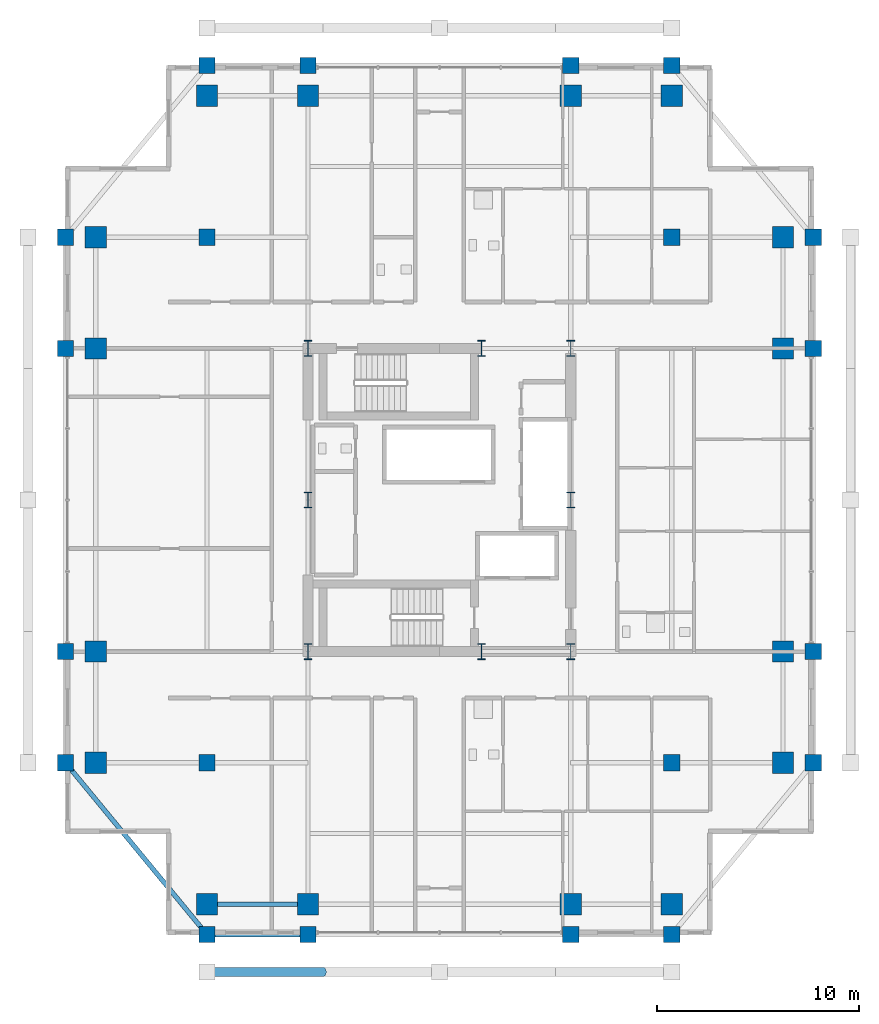
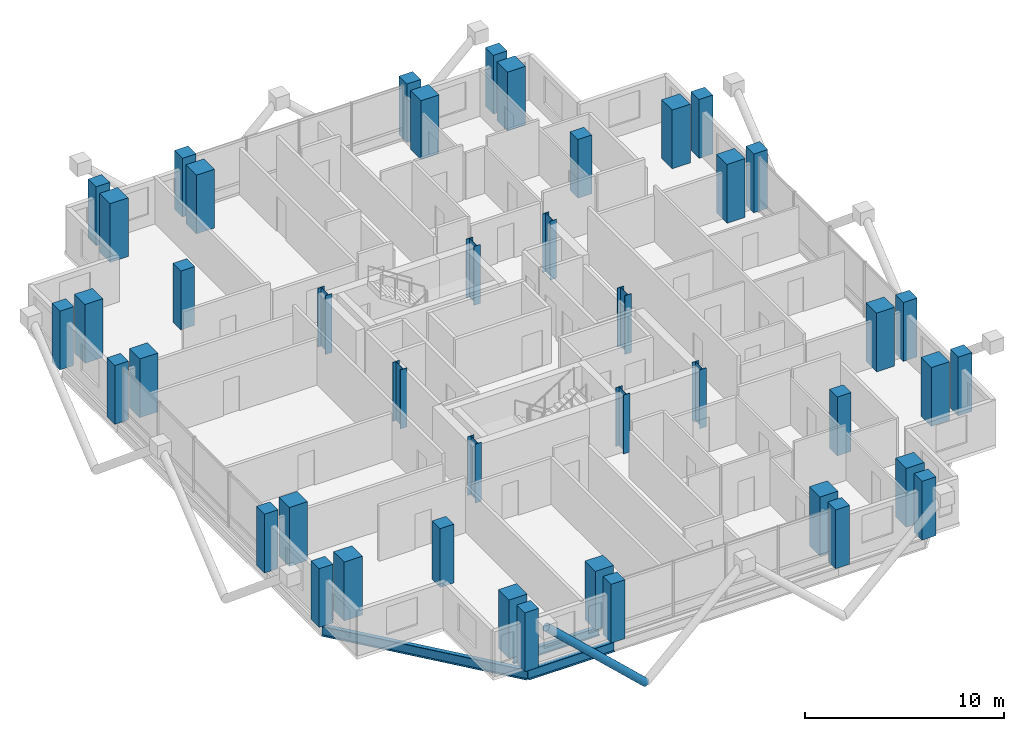
# One storey, part 1 of 24: 44 columns, 3 beams, 1 member.
"""IFC4 building model written with IfcOpenShell, lengths in metres."""

import ifcopenshell
import ifcopenshell.guid

model = None  # the IFC model being written
_history = None  # IfcOwnerHistory: only IFC2X3 demands one
_inside = {}  # id of a spatial element -> (the spatial element, [elements in it])
_under = {}  # id of a project, library or spatial element -> (it, [spatial elements below it])
_declared = {}  # id of a project -> (the project, [libraries it declares])
_typed = {}  # id of a type object -> (the type object, [elements of that type])
_made_of = {}  # id of a material, layer set ... -> (it, [elements and type objects made of it])


def new_model(schema):
    """Start an empty IFC model of exactly this schema.

    Asked for "IFC4X3", IfcOpenShell would pick the latest addendum, in which some entities
    have other attributes; the version numbers below select the first issue.
    IFC2X3 requires an IfcOwnerHistory on every rooted entity: one is made here for all.
    """
    global model, _history
    if schema == "IFC4X3":
        model = ifcopenshell.file(schema_version=(4, 3, 0, 0))
    else:
        model = ifcopenshell.file(schema=schema)
    _inside.clear()
    _under.clear()
    _declared.clear()
    _typed.clear()
    _made_of.clear()
    _history = None
    if model.schema == "IFC2X3":
        org = make("IfcOrganization", Name="unknown")
        user = make(
            "IfcPersonAndOrganization",
            ThePerson=make("IfcPerson", FamilyName="unknown"),
            TheOrganization=org,
        )
        app = make(
            "IfcApplication",
            ApplicationDeveloper=org,
            Version="unknown",
            ApplicationFullName="unknown",
            ApplicationIdentifier="unknown",
        )
        _history = make(
            "IfcOwnerHistory",
            OwningUser=user,
            OwningApplication=app,
            ChangeAction="ADDED",
            CreationDate=0,
        )
    return model


def make(cls, **values):
    """One entity of the class cls with the attributes given. An attribute that is None is left unset."""
    return model.create_entity(
        cls, **{name: value for name, value in values.items() if value is not None}
    )


def rooted(cls, **values):
    """An entity with a GlobalId (a new one), such as an element, a storey or a relation."""
    return make(cls, GlobalId=ifcopenshell.guid.new(), OwnerHistory=_history, **values)


def si_unit(unit_type, name, prefix=None):
    """IfcSIUnit, for example si_unit("LENGTHUNIT", "METRE", prefix="MILLI")."""
    return make("IfcSIUnit", UnitType=unit_type, Prefix=prefix, Name=name)


def assignment(units):
    """IfcUnitAssignment: the units of a project."""
    return None if units is None else make("IfcUnitAssignment", Units=units)


def point(xyz):
    """IfcCartesianPoint."""
    return None if xyz is None else make("IfcCartesianPoint", Coordinates=xyz)


def direction(xyz):
    """IfcDirection."""
    return None if xyz is None else make("IfcDirection", DirectionRatios=xyz)


def frame(location, z_axis=None, x_axis=None):
    """IfcAxis2Placement3D, a coordinate frame: its origin and axes. An axis left out is left unset."""
    return make(
        "IfcAxis2Placement3D",
        Location=point(location),
        Axis=direction(z_axis),
        RefDirection=direction(x_axis),
    )


def frame_2d(location, x_axis=None):
    """IfcAxis2Placement2D, a coordinate frame in the plane: its origin and x axis."""
    return make(
        "IfcAxis2Placement2D", Location=point(location), RefDirection=direction(x_axis)
    )


def origin():
    """The frame at (0, 0, 0) with its axes left unset."""
    return frame((0.0, 0.0, 0.0))


def origin_2d():
    """The frame at (0, 0) in the plane with its x axis left unset."""
    return frame_2d((0.0, 0.0))


def place(relative_to, where):
    """IfcLocalPlacement: puts the frame where relative to a parent placement (None: the world)."""
    return make(
        "IfcLocalPlacement", PlacementRelTo=relative_to, RelativePlacement=where
    )


def context(
    kind, dimensions, precision=None, world=None, true_north=None, identifier=None
):
    """IfcGeometricRepresentationContext, for example the 3D "Model" context."""
    return make(
        "IfcGeometricRepresentationContext",
        ContextIdentifier=identifier,
        ContextType=kind,
        CoordinateSpaceDimension=dimensions,
        Precision=precision,
        WorldCoordinateSystem=world,
        TrueNorth=true_north,
    )


def subcontext(parent, identifier, kind, view, scale=None):
    """IfcGeometricRepresentationSubContext, for example "Body" below "Model"."""
    return make(
        "IfcGeometricRepresentationSubContext",
        ContextIdentifier=identifier,
        ContextType=kind,
        ParentContext=parent,
        TargetScale=scale,
        TargetView=view,
    )


def project(units=None, contexts=None):
    """IfcProject with its units and contexts."""
    return rooted(
        "IfcProject",
        Name="project",
        RepresentationContexts=contexts,
        UnitsInContext=assignment(units),
    )


def spatial(cls, under=None, at=None, **own):
    """A site, building, storey or space (cls), placed at a placement, below another one or the project."""
    s = rooted(cls, ObjectPlacement=at, **own)
    if under is not None:
        _under.setdefault(under.id(), (under, []))[1].append(s)
    return s


def profile(cls, at=None, kind="AREA", **sizes):
    """A parametric profile (cls). Its sizes go by their IFC names, for example OverallWidth=200.0."""
    return make(cls, ProfileType=kind, Position=at, **sizes)


def rectangle(**sizes):
    """IfcRectangleProfileDef."""
    return profile("IfcRectangleProfileDef", **sizes)


def hollow_circle(**sizes):
    """IfcCircleHollowProfileDef."""
    return profile("IfcCircleHollowProfileDef", **sizes)


def i_section(**sizes):
    """IfcIShapeProfileDef."""
    return profile("IfcIShapeProfileDef", **sizes)


def extrude(swept, where, along, depth):
    """IfcExtrudedAreaSolid: the profile swept, set in the frame where, extruded along a direction by depth."""
    return make(
        "IfcExtrudedAreaSolid",
        SweptArea=swept,
        Position=where,
        ExtrudedDirection=direction(along),
        Depth=depth,
    )


def shape(context_of_items, identifier, shape_type, items):
    """IfcShapeRepresentation: the items that make up one representation, for example the "Body"."""
    return make(
        "IfcShapeRepresentation",
        ContextOfItems=context_of_items,
        RepresentationIdentifier=identifier,
        RepresentationType=shape_type,
        Items=items,
    )


def material(Name=None, Category=None):
    """IfcMaterial."""
    return make("IfcMaterial", Name=Name, Category=Category)


def material_profile(
    of_material, cross_section, Name=None, Category=None, Priority=None
):
    """IfcMaterialProfile: a cross section and its material."""
    return make(
        "IfcMaterialProfile",
        Name=Name,
        Material=of_material,
        Profile=cross_section,
        Priority=Priority,
        Category=Category,
    )


def profile_set(profiles, Name=None, composite=None):
    """IfcMaterialProfileSet."""
    return make(
        "IfcMaterialProfileSet",
        Name=Name,
        MaterialProfiles=profiles,
        CompositeProfile=composite,
    )


def made_of(thing, what):
    """Note that an element or type object is made of a material, layer set ...; save() writes the relation."""
    if what is not None:
        _made_of.setdefault(what.id(), (what, []))[1].append(thing)
    return thing


def type_object(cls, material=None, **own):
    """A type object (cls), such as IfcWallType, which elements share."""
    return made_of(rooted(cls, **own), material)


def element(
    cls,
    number,
    at=None,
    inside=None,
    cuts=None,
    type_object=None,
    material=None,
    context=None,
    identifier="Body",
    shape_type=None,
    held_by="IfcProductDefinitionShape",
    body=None,
    shapes=None,
    **own,
):
    """One element of the class cls, such as IfcWall. Its Tag is "e" and its number.

    at: its placement. inside: the storey or other place that contains it. cuts: it is an
    opening in that element (IfcRelVoidsElement). A single representation is given by context,
    identifier, shape_type and body (its items); several are given by shapes. held_by: the class
    of the entity that holds the representations. save() writes the other relations.
    """
    e = rooted(cls, Tag="e%d" % number, ObjectPlacement=at, **own)
    if body is not None:
        shapes = [shape(context, identifier, shape_type, body)]
    if shapes is not None:
        e.Representation = make(held_by, Representations=shapes)
    if inside is not None:
        _inside.setdefault(inside.id(), (inside, []))[1].append(e)
    if cuts is not None:
        rooted(
            "IfcRelVoidsElement", RelatingBuildingElement=cuts, RelatedOpeningElement=e
        )
    if type_object is not None:
        _typed.setdefault(type_object.id(), (type_object, []))[1].append(e)
    return made_of(e, material)


def aggregate(whole, parts):
    """IfcRelAggregates: a whole, such as a stair, and the parts it consists of."""
    return rooted("IfcRelAggregates", RelatingObject=whole, RelatedObjects=parts)


def save(model, path):
    """Write the relations noted so far, then the file.

    IfcRelAggregates (storeys below a building ...), IfcRelContainedInSpatialStructure (elements
    in a storey), IfcRelDefinesByType, IfcRelAssociatesMaterial and IfcRelDeclares: one each for
    every whole, place, type object, material and project.
    """
    for whole, parts in _under.values():
        aggregate(whole, parts)
    for where, things in _inside.values():
        rooted(
            "IfcRelContainedInSpatialStructure",
            RelatedElements=things,
            RelatingStructure=where,
        )
    for kind, things in _typed.values():
        rooted("IfcRelDefinesByType", RelatedObjects=things, RelatingType=kind)
    for what, things in _made_of.values():
        rooted("IfcRelAssociatesMaterial", RelatedObjects=things, RelatingMaterial=what)
    for by, libraries in _declared.values():
        rooted("IfcRelDeclares", RelatingContext=by, RelatedDefinitions=libraries)
    model.write(path)


model = new_model("IFC4")

# Units and contexts
model_context = context("Model", 3, precision=1e-05, world=origin(), true_north=direction((0.0, 1.0)))
body_context = subcontext(model_context, "Body", "Model", "MODEL_VIEW")
ifc_project = project(units=[si_unit("LENGTHUNIT", "METRE"), si_unit("AREAUNIT", "SQUARE_METRE"), si_unit("VOLUMEUNIT", "CUBIC_METRE"), si_unit("PLANEANGLEUNIT", "RADIAN"), si_unit("MASSUNIT", "GRAM", prefix="KILO")], contexts=[model_context])

# Site, building, storey
site_placement = place(None, origin())
site = spatial("IfcSite", under=ifc_project, at=site_placement, CompositionType="ELEMENT")
building_placement = place(site_placement, origin())
building = spatial("IfcBuilding", under=site, at=building_placement, Name="Barlavira Tower and Art Museum", CompositionType="ELEMENT")
storey_placement = place(building_placement, frame((0.0, 0.0, 172.800048828125)))
storey = spatial("IfcBuildingStorey", under=building, at=storey_placement, Name="L44", CompositionType="ELEMENT", Elevation=172.800048828125)

# Columns
ifc_material_1 = material(Name="Steel S355", Category="steel")
ifc_material_profile_1 = material_profile(ifc_material_1, i_section(OverallWidth=0.382080078125, OverallDepth=0.785888671875, WebThickness=0.02001953125, FlangeThickness=0.032958984375, at=origin_2d()), Name="W760x314.0")
ifc_profile_set_1 = profile_set([ifc_material_profile_1], Name="Steel S355")
column_type_1 = type_object("IfcColumnType", Name="Core Composite Column W760x314 Steel S355", PredefinedType="COLUMN", material=ifc_profile_set_1)
for number, where, z_axis, x_axis, name in (
    (1, (-6.5, -7.5, 0.0), (0.0, 0.0, 1.0), (1.0, 0.0, 0.0), "L44 Column CC-L44-C1"),
    (2, (2.080078125, -7.5, 0.0), (0.0, 0.0, 1.0), (1.0, 0.0, 0.0), "L44 Column CC-L44-C2"),
    (3, (6.5, -7.5, 0.0), (0.0, 0.0, 1.0), (1.0, 0.0, 0.0), "L44 Column CC-L44-C3"),
    (4, (-6.5, 0.0, 0.0), (0.0, 0.0, 1.0), (1.0, 0.0, 0.0), "L44 Column CC-L44-C4"),
    (5, (6.5, 0.0, 0.0), (0.0, 0.0, 1.0), (1.0, 0.0, 0.0), "L44 Column CC-L44-C5"),
    (6, (-6.5, 7.5, 0.0), (0.0, 0.0, 1.0), (1.0, 0.0, 0.0), "L44 Column CC-L44-C6"),
    (7, (2.080078125, 7.5, 0.0), (0.0, 0.0, 1.0), (1.0, 0.0, 0.0), "L44 Column CC-L44-C7"),
    (8, (6.5, 7.5, 0.0), (0.0, 0.0, 1.0), (1.0, 0.0, 0.0), "L44 Column CC-L44-C8"),
):
    element("IfcColumn", number, at=place(storey_placement, frame(where, z_axis=z_axis, x_axis=x_axis)), inside=storey, type_object=column_type_1, Name=name, PredefinedType="COLUMN", context=body_context, shape_type="SweptSolid", body=[
        extrude(i_section(OverallWidth=0.382080078125, OverallDepth=0.785888671875, WebThickness=0.02001953125, FlangeThickness=0.032958984375, at=origin_2d()), origin(), (0.0, 0.0, 1.0), 3.599853515625),
    ])
ifc_material_2 = material(Name="Concrete C55", Category="concrete")
ifc_material_profile_2 = material_profile(ifc_material_2, rectangle(XDim=1.050048828125, YDim=1.050048828125, at=origin_2d()), Name="RC-COL 1050x1050")
ifc_profile_set_2 = profile_set([ifc_material_profile_2], Name="Concrete C55")
column_type_2 = type_object("IfcColumnType", Name="Perimeter Mega Column 1050x1050 Concrete C55", PredefinedType="USERDEFINED", material=ifc_profile_set_2)
for number, where, z_axis, x_axis, name in (
    (9, (-11.5, -20.0, 0.0), (0.0, 0.0, 1.0), (1.0, 0.0, 0.0), "L44 Column MC-L44-M01"),
    (10, (-6.5, -20.0, 0.0), (0.0, 0.0, 1.0), (1.0, 0.0, 0.0), "L44 Column MC-L44-M02"),
    (11, (6.5, -20.0, 0.0), (0.0, 0.0, 1.0), (1.0, 0.0, 0.0), "L44 Column MC-L44-M03"),
    (12, (11.5, -20.0, 0.0), (0.0, 0.0, 1.0), (1.0, 0.0, 0.0), "L44 Column MC-L44-M04"),
    (13, (17.0, -13.0, 0.0), (0.0, 0.0, 1.0), (1.0, 0.0, 0.0), "L44 Column MC-L44-M05"),
    (14, (17.0, -7.5, 0.0), (0.0, 0.0, 1.0), (1.0, 0.0, 0.0), "L44 Column MC-L44-M06"),
    (15, (17.0, 7.5, 0.0), (0.0, 0.0, 1.0), (1.0, 0.0, 0.0), "L44 Column MC-L44-M07"),
    (16, (17.0, 13.0, 0.0), (0.0, 0.0, 1.0), (1.0, 0.0, 0.0), "L44 Column MC-L44-M08"),
    (17, (11.5, 20.0, 0.0), (0.0, 0.0, 1.0), (1.0, 0.0, 0.0), "L44 Column MC-L44-M09"),
    (18, (6.5, 20.0, 0.0), (0.0, 0.0, 1.0), (1.0, 0.0, 0.0), "L44 Column MC-L44-M10"),
    (19, (-6.5, 20.0, 0.0), (0.0, 0.0, 1.0), (1.0, 0.0, 0.0), "L44 Column MC-L44-M11"),
    (20, (-11.5, 20.0, 0.0), (0.0, 0.0, 1.0), (1.0, 0.0, 0.0), "L44 Column MC-L44-M12"),
    (21, (-17.0, 13.0, 0.0), (0.0, 0.0, 1.0), (1.0, 0.0, 0.0), "L44 Column MC-L44-M13"),
    (22, (-17.0, 7.5, 0.0), (0.0, 0.0, 1.0), (1.0, 0.0, 0.0), "L44 Column MC-L44-M14"),
    (23, (-17.0, -7.5, 0.0), (0.0, 0.0, 1.0), (1.0, 0.0, 0.0), "L44 Column MC-L44-M15"),
    (24, (-17.0, -13.0, 0.0), (0.0, 0.0, 1.0), (1.0, 0.0, 0.0), "L44 Column MC-L44-M16"),
):
    element("IfcColumn", number, at=place(storey_placement, frame(where, z_axis=z_axis, x_axis=x_axis)), inside=storey, type_object=column_type_2, Name=name, ObjectType="MEGA COLUMN", PredefinedType="USERDEFINED", context=body_context, shape_type="SweptSolid", body=[
        extrude(rectangle(XDim=1.050048828125, YDim=1.050048828125, at=origin_2d()), origin(), (0.0, 0.0, 1.0), 3.599853515625),
    ])
ifc_material_3 = material(Name="Concrete C50", Category="concrete")
ifc_material_profile_3 = material_profile(ifc_material_3, rectangle(XDim=0.800048828125, YDim=0.800048828125, at=origin_2d()), Name="RC-COL 800x800")
ifc_profile_set_3 = profile_set([ifc_material_profile_3], Name="Concrete C50")
column_type_3 = type_object("IfcColumnType", Name="Podium Frame Column 800x800 Concrete C50", PredefinedType="COLUMN", material=ifc_profile_set_3)
for number, where, z_axis, x_axis, name in (
    (25, (-11.5, -13.0, 0.0), (0.0, 0.0, 1.0), (1.0, 0.0, 0.0), "L44 Column CI-L44-I1"),
    (26, (11.5, -13.0, 0.0), (0.0, 0.0, 1.0), (1.0, 0.0, 0.0), "L44 Column CI-L44-I2"),
    (27, (-11.5, 13.0, 0.0), (0.0, 0.0, 1.0), (1.0, 0.0, 0.0), "L44 Column CI-L44-I3"),
    (28, (11.5, 13.0, 0.0), (0.0, 0.0, 1.0), (1.0, 0.0, 0.0), "L44 Column CI-L44-I4"),
    (29, (-11.5, -21.5, 0.0), (0.0, 0.0, 1.0), (1.0, 0.0, 0.0), "L44 Column CZ3-L44-N01"),
    (30, (-6.5, -21.5, 0.0), (0.0, 0.0, 1.0), (1.0, 0.0, 0.0), "L44 Column CZ3-L44-N02"),
    (31, (6.5, -21.5, 0.0), (0.0, 0.0, 1.0), (1.0, 0.0, 0.0), "L44 Column CZ3-L44-N02B"),
    (32, (11.5, -21.5, 0.0), (0.0, 0.0, 1.0), (1.0, 0.0, 0.0), "L44 Column CZ3-L44-N03"),
    (33, (-18.5, -13.0, 0.0), (0.0, 0.0, 1.0), (1.0, 0.0, 0.0), "L44 Column CZ3-L44-N04"),
    (34, (-18.5, -7.5, 0.0), (0.0, 0.0, 1.0), (1.0, 0.0, 0.0), "L44 Column CZ3-L44-N05"),
    (35, (-18.5, 7.5, 0.0), (0.0, 0.0, 1.0), (1.0, 0.0, 0.0), "L44 Column CZ3-L44-N05B"),
    (36, (-18.5, 13.0, 0.0), (0.0, 0.0, 1.0), (1.0, 0.0, 0.0), "L44 Column CZ3-L44-N06"),
    (37, (-11.5, 21.5, 0.0), (0.0, 0.0, 1.0), (1.0, 0.0, 0.0), "L44 Column CZ3-L44-N07"),
    (38, (-6.5, 21.5, 0.0), (0.0, 0.0, 1.0), (1.0, 0.0, 0.0), "L44 Column CZ3-L44-N08"),
    (39, (6.5, 21.5, 0.0), (0.0, 0.0, 1.0), (1.0, 0.0, 0.0), "L44 Column CZ3-L44-N08B"),
    (40, (11.5, 21.5, 0.0), (0.0, 0.0, 1.0), (1.0, 0.0, 0.0), "L44 Column CZ3-L44-N09"),
    (41, (18.5, -13.0, 0.0), (0.0, 0.0, 1.0), (1.0, 0.0, 0.0), "L44 Column CZ3-L44-N10"),
    (42, (18.5, -7.5, 0.0), (0.0, 0.0, 1.0), (1.0, 0.0, 0.0), "L44 Column CZ3-L44-N11"),
    (43, (18.5, 7.5, 0.0), (0.0, 0.0, 1.0), (1.0, 0.0, 0.0), "L44 Column CZ3-L44-N11B"),
    (44, (18.5, 13.0, 0.0), (0.0, 0.0, 1.0), (1.0, 0.0, 0.0), "L44 Column CZ3-L44-N12"),
):
    element("IfcColumn", number, at=place(storey_placement, frame(where, z_axis=z_axis, x_axis=x_axis)), inside=storey, type_object=column_type_3, Name=name, PredefinedType="COLUMN", context=body_context, shape_type="SweptSolid", body=[
        extrude(rectangle(XDim=0.800048828125, YDim=0.800048828125, at=origin_2d()), origin(), (0.0, 0.0, 1.0), 3.599853515625),
    ])

# Member
ifc_material_profile_4 = material_profile(ifc_material_1, hollow_circle(Radius=0.228515625, WallThickness=0.02001953125, at=origin_2d()), Name="CHS 457.0x20.0")
ifc_profile_set_4 = profile_set([ifc_material_profile_4], Name="Steel S355")
member_type = type_object("IfcMemberType", Name="Pale-Metal Exoskeleton Diagrid Tube CHS 457x20 Steel S355", PredefinedType="BRACE", material=ifc_profile_set_4)
member_placement = place(storey_placement, frame((-5.75, -23.35009765625, -1.920166015625), z_axis=(-0.728934650808, 0.0, 0.684583285548), x_axis=(0.0, -1.0, 0.0)))
element("IfcMember", 45, at=member_placement, inside=storey, type_object=member_type, Name="L44 Exoskeleton Diagrid Tube S", PredefinedType="BRACE", context=body_context, shape_type="SweptSolid", body=[
    extrude(hollow_circle(Radius=0.228515625, WallThickness=0.02001953125, at=origin_2d()), origin(), (0.0, 0.0, 1.0), 7.88818359375),
])

# Beams
ifc_material_profile_5 = material_profile(ifc_material_1, i_section(OverallWidth=0.22998046875, OverallDepth=0.616943359375, WebThickness=0.01318359375, FlangeThickness=0.022216796875, at=origin_2d()), Name="W610x140.0")
ifc_profile_set_5 = profile_set([ifc_material_profile_5], Name="Steel S355")
beam_type_1 = type_object("IfcBeamType", Name="Upper Shaft Spandrel Edge Beam W610x140 Steel S355", PredefinedType="SPANDREL", material=ifc_profile_set_5)
beam_1_placement = place(storey_placement, frame((-11.5, -21.5, -0.528564453125), z_axis=(1.0, 0.0, 0.0), x_axis=(0.0, 1.0, 0.0)))
element("IfcBeam", 46, at=beam_1_placement, inside=storey, type_object=beam_type_1, Name="L44 Spandrel 1", PredefinedType="SPANDREL", context=body_context, shape_type="SweptSolid", body=[
    extrude(i_section(OverallWidth=0.22998046875, OverallDepth=0.616943359375, WebThickness=0.01318359375, FlangeThickness=0.022216796875, at=origin_2d()), origin(), (0.0, 0.0, 1.0), 5.0),
])
beam_2_placement = place(storey_placement, frame((-18.5, -13.0, -0.528564453125), z_axis=(0.635707252861, -0.771930235617, 0.0), x_axis=(0.771930235617, 0.635707252861, 0.0)))
element("IfcBeam", 47, at=beam_2_placement, inside=storey, type_object=beam_type_1, Name="L44 Spandrel 16", PredefinedType="SPANDREL", context=body_context, shape_type="SweptSolid", body=[
    extrude(i_section(OverallWidth=0.22998046875, OverallDepth=0.616943359375, WebThickness=0.01318359375, FlangeThickness=0.022216796875, at=origin_2d()), origin(), (0.0, 0.0, 1.0), 11.011474609375),
])
ifc_material_profile_6 = material_profile(ifc_material_1, i_section(OverallWidth=0.2109375, OverallDepth=0.5390625, WebThickness=0.01171875, FlangeThickness=0.018798828125, at=origin_2d()), Name="W530x109.0")
ifc_profile_set_6 = profile_set([ifc_material_profile_6], Name="Steel S355")
beam_type_2 = type_object("IfcBeamType", Name="Zone 3-4 Primary Floor Girder W530x109 Steel S355", PredefinedType="BEAM", material=ifc_profile_set_6)
beam_3_placement = place(storey_placement, frame((-11.5, -20.0, -0.489501953125), z_axis=(1.0, 0.0, 0.0), x_axis=(0.0, 1.0, 0.0)))
element("IfcBeam", 48, at=beam_3_placement, inside=storey, type_object=beam_type_2, Name="L44 Girder M-S1", PredefinedType="BEAM", context=body_context, shape_type="SweptSolid", body=[
    extrude(i_section(OverallWidth=0.2109375, OverallDepth=0.5390625, WebThickness=0.01171875, FlangeThickness=0.018798828125, at=origin_2d()), origin(), (0.0, 0.0, 1.0), 5.0),
])

save(model, "model.ifc")
